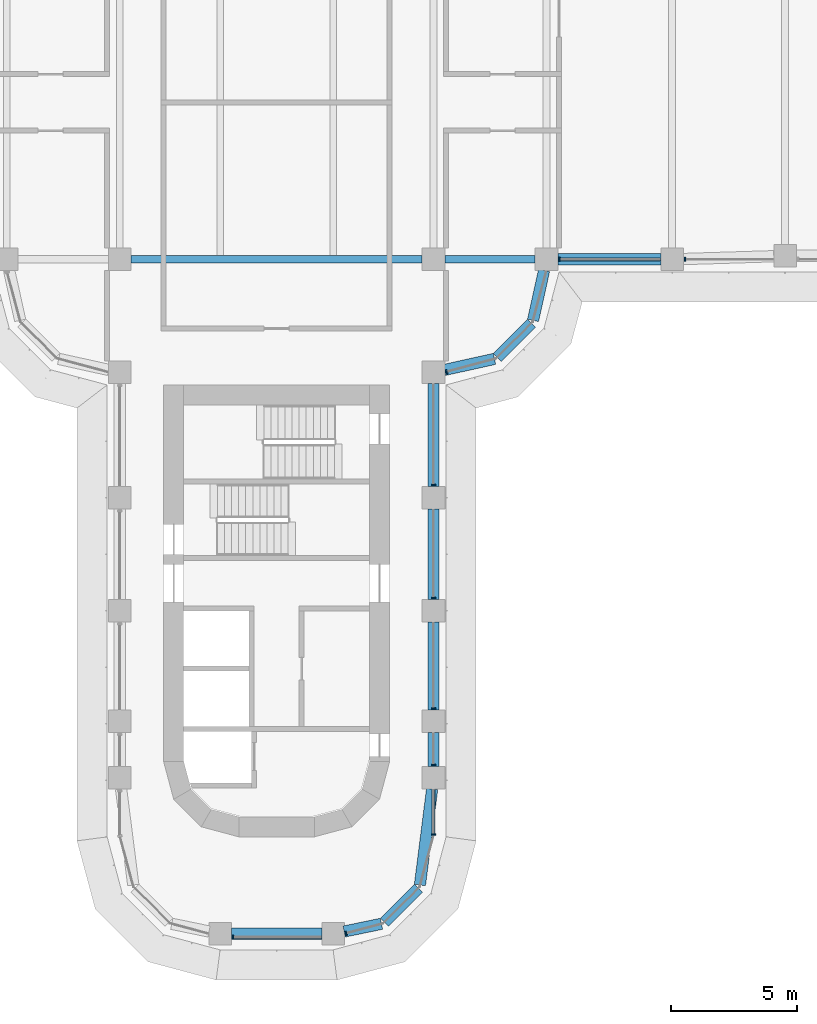
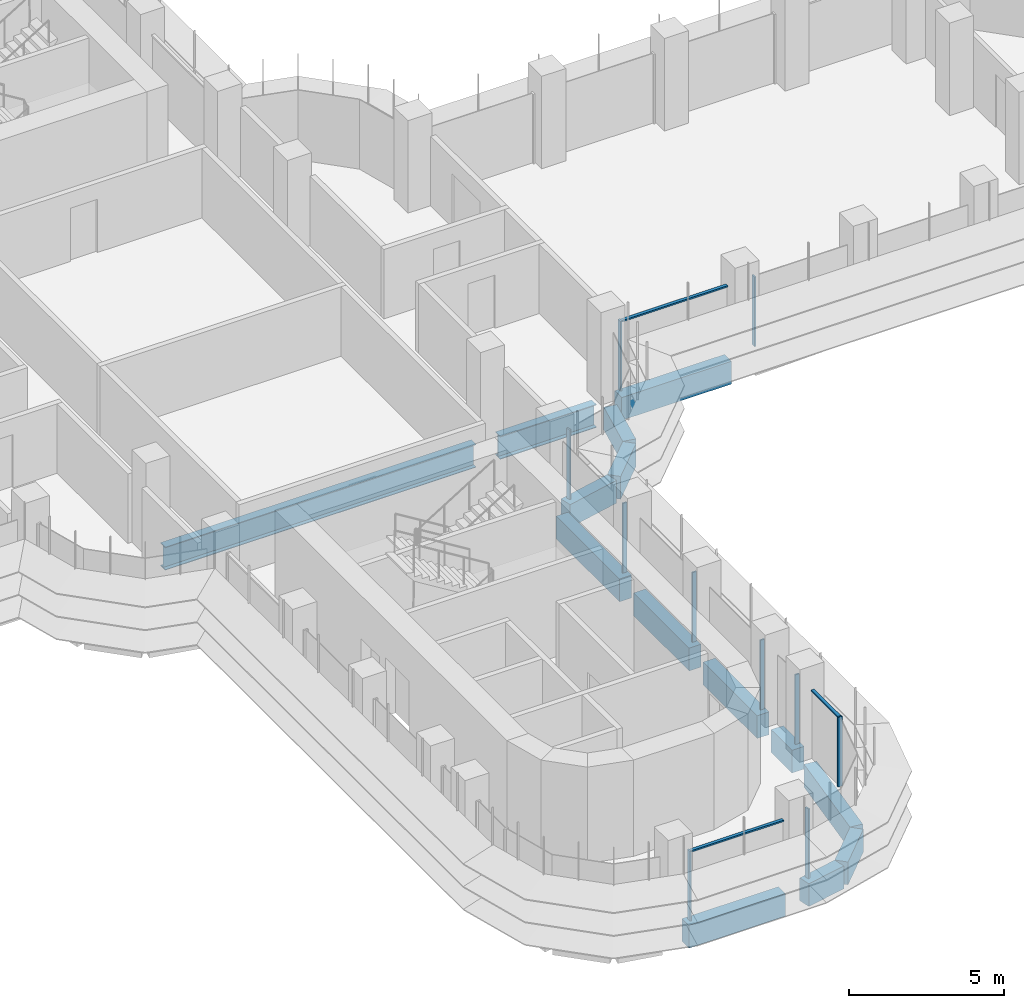
# One storey, part 4 of 21: 14 beams, 13 members, 5 elements without a shape of their own.
"""IFC4 building model written with IfcOpenShell, lengths in metres."""

import ifcopenshell
import ifcopenshell.guid

model = None  # the IFC model being written
_history = None  # IfcOwnerHistory: only IFC2X3 demands one
_inside = {}  # id of a spatial element -> (the spatial element, [elements in it])
_under = {}  # id of a project, library or spatial element -> (it, [spatial elements below it])
_declared = {}  # id of a project -> (the project, [libraries it declares])
_typed = {}  # id of a type object -> (the type object, [elements of that type])
_made_of = {}  # id of a material, layer set ... -> (it, [elements and type objects made of it])


def new_model(schema):
    """Start an empty IFC model of exactly this schema.

    Asked for "IFC4X3", IfcOpenShell would pick the latest addendum, in which some entities
    have other attributes; the version numbers below select the first issue.
    IFC2X3 requires an IfcOwnerHistory on every rooted entity: one is made here for all.
    """
    global model, _history
    if schema == "IFC4X3":
        model = ifcopenshell.file(schema_version=(4, 3, 0, 0))
    else:
        model = ifcopenshell.file(schema=schema)
    _inside.clear()
    _under.clear()
    _declared.clear()
    _typed.clear()
    _made_of.clear()
    _history = None
    if model.schema == "IFC2X3":
        org = make("IfcOrganization", Name="unknown")
        user = make(
            "IfcPersonAndOrganization",
            ThePerson=make("IfcPerson", FamilyName="unknown"),
            TheOrganization=org,
        )
        app = make(
            "IfcApplication",
            ApplicationDeveloper=org,
            Version="unknown",
            ApplicationFullName="unknown",
            ApplicationIdentifier="unknown",
        )
        _history = make(
            "IfcOwnerHistory",
            OwningUser=user,
            OwningApplication=app,
            ChangeAction="ADDED",
            CreationDate=0,
        )
    return model


def make(cls, **values):
    """One entity of the class cls with the attributes given. An attribute that is None is left unset."""
    return model.create_entity(
        cls, **{name: value for name, value in values.items() if value is not None}
    )


def rooted(cls, **values):
    """An entity with a GlobalId (a new one), such as an element, a storey or a relation."""
    return make(cls, GlobalId=ifcopenshell.guid.new(), OwnerHistory=_history, **values)


def si_unit(unit_type, name, prefix=None):
    """IfcSIUnit, for example si_unit("LENGTHUNIT", "METRE", prefix="MILLI")."""
    return make("IfcSIUnit", UnitType=unit_type, Prefix=prefix, Name=name)


def assignment(units):
    """IfcUnitAssignment: the units of a project."""
    return None if units is None else make("IfcUnitAssignment", Units=units)


def point(xyz):
    """IfcCartesianPoint."""
    return None if xyz is None else make("IfcCartesianPoint", Coordinates=xyz)


def direction(xyz):
    """IfcDirection."""
    return None if xyz is None else make("IfcDirection", DirectionRatios=xyz)


def frame(location, z_axis=None, x_axis=None):
    """IfcAxis2Placement3D, a coordinate frame: its origin and axes. An axis left out is left unset."""
    return make(
        "IfcAxis2Placement3D",
        Location=point(location),
        Axis=direction(z_axis),
        RefDirection=direction(x_axis),
    )


def frame_2d(location, x_axis=None):
    """IfcAxis2Placement2D, a coordinate frame in the plane: its origin and x axis."""
    return make(
        "IfcAxis2Placement2D", Location=point(location), RefDirection=direction(x_axis)
    )


def origin():
    """The frame at (0, 0, 0) with its axes left unset."""
    return frame((0.0, 0.0, 0.0))


def origin_2d():
    """The frame at (0, 0) in the plane with its x axis left unset."""
    return frame_2d((0.0, 0.0))


def place(relative_to, where):
    """IfcLocalPlacement: puts the frame where relative to a parent placement (None: the world)."""
    return make(
        "IfcLocalPlacement", PlacementRelTo=relative_to, RelativePlacement=where
    )


def context(
    kind, dimensions, precision=None, world=None, true_north=None, identifier=None
):
    """IfcGeometricRepresentationContext, for example the 3D "Model" context."""
    return make(
        "IfcGeometricRepresentationContext",
        ContextIdentifier=identifier,
        ContextType=kind,
        CoordinateSpaceDimension=dimensions,
        Precision=precision,
        WorldCoordinateSystem=world,
        TrueNorth=true_north,
    )


def subcontext(parent, identifier, kind, view, scale=None):
    """IfcGeometricRepresentationSubContext, for example "Body" below "Model"."""
    return make(
        "IfcGeometricRepresentationSubContext",
        ContextIdentifier=identifier,
        ContextType=kind,
        ParentContext=parent,
        TargetScale=scale,
        TargetView=view,
    )


def project(units=None, contexts=None):
    """IfcProject with its units and contexts."""
    return rooted(
        "IfcProject",
        Name="project",
        RepresentationContexts=contexts,
        UnitsInContext=assignment(units),
    )


def spatial(cls, under=None, at=None, **own):
    """A site, building, storey or space (cls), placed at a placement, below another one or the project."""
    s = rooted(cls, ObjectPlacement=at, **own)
    if under is not None:
        _under.setdefault(under.id(), (under, []))[1].append(s)
    return s


def polyline(points):
    """IfcPolyline through the points."""
    return make("IfcPolyline", Points=[point(p) for p in points])


def profile(cls, at=None, kind="AREA", **sizes):
    """A parametric profile (cls). Its sizes go by their IFC names, for example OverallWidth=200.0."""
    return make(cls, ProfileType=kind, Position=at, **sizes)


def rectangle(**sizes):
    """IfcRectangleProfileDef."""
    return profile("IfcRectangleProfileDef", **sizes)


def i_section(**sizes):
    """IfcIShapeProfileDef."""
    return profile("IfcIShapeProfileDef", **sizes)


def outline(outer, holes=None, kind="AREA"):
    """IfcArbitraryClosedProfileDef: a profile drawn as a closed curve; with holes, ...WithVoids."""
    if holes is None:
        return make("IfcArbitraryClosedProfileDef", ProfileType=kind, OuterCurve=outer)
    return make(
        "IfcArbitraryProfileDefWithVoids",
        ProfileType=kind,
        OuterCurve=outer,
        InnerCurves=holes,
    )


def extrude(swept, where, along, depth):
    """IfcExtrudedAreaSolid: the profile swept, set in the frame where, extruded along a direction by depth."""
    return make(
        "IfcExtrudedAreaSolid",
        SweptArea=swept,
        Position=where,
        ExtrudedDirection=direction(along),
        Depth=depth,
    )


def shape(context_of_items, identifier, shape_type, items):
    """IfcShapeRepresentation: the items that make up one representation, for example the "Body"."""
    return make(
        "IfcShapeRepresentation",
        ContextOfItems=context_of_items,
        RepresentationIdentifier=identifier,
        RepresentationType=shape_type,
        Items=items,
    )


def source(mapping_origin, context_of_items, identifier, shape_type, items):
    """IfcRepresentationMap: a shape defined once, which mapped items show again and again."""
    return make(
        "IfcRepresentationMap",
        MappingOrigin=mapping_origin,
        MappedRepresentation=shape(context_of_items, identifier, shape_type, items),
    )


def transform(
    local_origin,
    x_axis=None,
    y_axis=None,
    z_axis=None,
    scale=None,
    scale2=None,
    scale3=None,
    uniform=True,
):
    """IfcCartesianTransformationOperator3D, or its non-uniform kind. x_axis, y_axis, z_axis: its Axis1, 2, 3."""
    if uniform:
        return make(
            "IfcCartesianTransformationOperator3D",
            Axis1=direction(x_axis),
            Axis2=direction(y_axis),
            LocalOrigin=point(local_origin),
            Scale=scale,
            Axis3=direction(z_axis),
        )
    return make(
        "IfcCartesianTransformationOperator3DnonUniform",
        Axis1=direction(x_axis),
        Axis2=direction(y_axis),
        LocalOrigin=point(local_origin),
        Scale=scale,
        Axis3=direction(z_axis),
        Scale2=scale2,
        Scale3=scale3,
    )


def mapped(mapping_source, mapping_target):
    """IfcMappedItem: shows the shape of a source again, moved by a transform."""
    return make(
        "IfcMappedItem", MappingSource=mapping_source, MappingTarget=mapping_target
    )


def material(Name=None, Category=None):
    """IfcMaterial."""
    return make("IfcMaterial", Name=Name, Category=Category)


def material_profile(
    of_material, cross_section, Name=None, Category=None, Priority=None
):
    """IfcMaterialProfile: a cross section and its material."""
    return make(
        "IfcMaterialProfile",
        Name=Name,
        Material=of_material,
        Profile=cross_section,
        Priority=Priority,
        Category=Category,
    )


def profile_set(profiles, Name=None, composite=None):
    """IfcMaterialProfileSet."""
    return make(
        "IfcMaterialProfileSet",
        Name=Name,
        MaterialProfiles=profiles,
        CompositeProfile=composite,
    )


def made_of(thing, what):
    """Note that an element or type object is made of a material, layer set ...; save() writes the relation."""
    if what is not None:
        _made_of.setdefault(what.id(), (what, []))[1].append(thing)
    return thing


def type_object(cls, material=None, **own):
    """A type object (cls), such as IfcWallType, which elements share."""
    return made_of(rooted(cls, **own), material)


def element(
    cls,
    number,
    at=None,
    inside=None,
    cuts=None,
    type_object=None,
    material=None,
    context=None,
    identifier="Body",
    shape_type=None,
    held_by="IfcProductDefinitionShape",
    body=None,
    shapes=None,
    **own,
):
    """One element of the class cls, such as IfcWall. Its Tag is "e" and its number.

    at: its placement. inside: the storey or other place that contains it. cuts: it is an
    opening in that element (IfcRelVoidsElement). A single representation is given by context,
    identifier, shape_type and body (its items); several are given by shapes. held_by: the class
    of the entity that holds the representations. save() writes the other relations.
    """
    e = rooted(cls, Tag="e%d" % number, ObjectPlacement=at, **own)
    if body is not None:
        shapes = [shape(context, identifier, shape_type, body)]
    if shapes is not None:
        e.Representation = make(held_by, Representations=shapes)
    if inside is not None:
        _inside.setdefault(inside.id(), (inside, []))[1].append(e)
    if cuts is not None:
        rooted(
            "IfcRelVoidsElement", RelatingBuildingElement=cuts, RelatedOpeningElement=e
        )
    if type_object is not None:
        _typed.setdefault(type_object.id(), (type_object, []))[1].append(e)
    return made_of(e, material)


def aggregate(whole, parts):
    """IfcRelAggregates: a whole, such as a stair, and the parts it consists of."""
    return rooted("IfcRelAggregates", RelatingObject=whole, RelatedObjects=parts)


def save(model, path):
    """Write the relations noted so far, then the file.

    IfcRelAggregates (storeys below a building ...), IfcRelContainedInSpatialStructure (elements
    in a storey), IfcRelDefinesByType, IfcRelAssociatesMaterial and IfcRelDeclares: one each for
    every whole, place, type object, material and project.
    """
    for whole, parts in _under.values():
        aggregate(whole, parts)
    for where, things in _inside.values():
        rooted(
            "IfcRelContainedInSpatialStructure",
            RelatedElements=things,
            RelatingStructure=where,
        )
    for kind, things in _typed.values():
        rooted("IfcRelDefinesByType", RelatedObjects=things, RelatingType=kind)
    for what, things in _made_of.values():
        rooted("IfcRelAssociatesMaterial", RelatedObjects=things, RelatingMaterial=what)
    for by, libraries in _declared.values():
        rooted("IfcRelDeclares", RelatingContext=by, RelatedDefinitions=libraries)
    model.write(path)


model = new_model("IFC4")

# Units and contexts
model_context = context("Model", 3, precision=1e-05, world=origin(), true_north=direction((0.0, 1.0)))
body_context = subcontext(model_context, "Body", "Model", "MODEL_VIEW")
ifc_project = project(units=[si_unit("LENGTHUNIT", "METRE"), si_unit("AREAUNIT", "SQUARE_METRE"), si_unit("VOLUMEUNIT", "CUBIC_METRE"), si_unit("PLANEANGLEUNIT", "RADIAN"), si_unit("MASSUNIT", "GRAM", prefix="KILO")], contexts=[model_context])

# Site, building, storey
site_placement = place(None, origin())
site = spatial("IfcSite", under=ifc_project, at=site_placement, CompositionType="ELEMENT")
building_placement = place(site_placement, origin())
building = spatial("IfcBuilding", under=site, at=building_placement, Name="Zarbagh Exchange Tower", CompositionType="ELEMENT")
storey_placement = place(building_placement, frame((0.0, 0.0, 117.0)))
storey = spatial("IfcBuildingStorey", under=building, at=storey_placement, Name="L27", CompositionType="ELEMENT", Elevation=117.0)

# Beams
ifc_material_1 = material(Name="Steel ASTM A992 Gr 50", Category="steel")
ifc_material_profile_1 = material_profile(ifc_material_1, i_section(OverallWidth=0.3046875, OverallDepth=0.911865234375, WebThickness=0.015869140625, FlangeThickness=0.02392578125, at=origin_2d()), Name="W36X150")
ifc_profile_set_1 = profile_set([ifc_material_profile_1], Name="Steel ASTM A992 Gr 50")
beam_type_1 = type_object("IfcBeamType", Name="Floor girder W36X150", PredefinedType="BEAM", material=ifc_profile_set_1)
beam_1_placement = place(storey_placement, frame((-5.800048828125, -6.25, -0.60595703125), z_axis=(1.0, 0.0, 0.0), x_axis=(0.0, 1.0, 0.0)))
element("IfcBeam", 1, at=beam_1_placement, inside=storey, type_object=beam_type_1, Name="Steel girder", PredefinedType="BEAM", context=body_context, shape_type="SweptSolid", body=[
    extrude(i_section(OverallWidth=0.3046875, OverallDepth=0.911865234375, WebThickness=0.015869140625, FlangeThickness=0.02392578125, at=origin_2d()), origin(), (0.0, 0.0, 1.0), 11.60009765625),
])
beam_2_placement = place(storey_placement, frame((6.699951171875, -6.25, -0.60595703125), z_axis=(1.0, 0.0, 0.0), x_axis=(0.0, 1.0, 0.0)))
element("IfcBeam", 2, at=beam_2_placement, inside=storey, type_object=beam_type_1, Name="Steel girder", PredefinedType="BEAM", context=body_context, shape_type="SweptSolid", body=[
    extrude(i_section(OverallWidth=0.3046875, OverallDepth=0.911865234375, WebThickness=0.015869140625, FlangeThickness=0.02392578125, at=origin_2d()), origin(), (0.0, 0.0, 1.0), 3.60009765625),
])
ifc_material_2 = material(Name="Concrete C60/75", Category="concrete")
ifc_material_profile_2 = material_profile(ifc_material_2, rectangle(XDim=0.449951171875, YDim=0.89990234375, at=origin_2d()), Name="RC spandrel beam 450 x 900 C60/75")
ifc_profile_set_2 = profile_set([ifc_material_profile_2], Name="Concrete C60/75")
beam_type_2 = type_object("IfcBeamType", Name="RC spandrel beam 450 x 900 C60/75", PredefinedType="SPANDREL", material=ifc_profile_set_2)
beam_3_placement = place(storey_placement, frame((15.300048828125, -6.25, -0.60009765625), z_axis=(-1.0, 0.0, 0.0), x_axis=(0.0, -1.0, 0.0)))
element("IfcBeam", 3, at=beam_3_placement, inside=storey, type_object=beam_type_2, Name="RC spandrel beam", PredefinedType="SPANDREL", context=body_context, shape_type="SweptSolid", body=[
    extrude(rectangle(XDim=0.449951171875, YDim=0.89990234375, at=origin_2d()), origin(), (0.0, 0.0, 1.0), 4.10009765625),
])
beam_4_placement = place(storey_placement, frame((10.65283203125, -6.689453125, -0.60009765625), z_axis=(-0.216117666208, -0.976367325525, 0.0), x_axis=(0.976367325525, -0.216117666208, 0.0)))
element("IfcBeam", 4, at=beam_4_placement, inside=storey, type_object=beam_type_2, Name="RC spandrel beam", PredefinedType="SPANDREL", context=body_context, shape_type="SweptSolid", body=[
    extrude(rectangle(XDim=0.449951171875, YDim=0.89990234375, at=origin_2d()), origin(), (0.0, 0.0, 1.0), 2.03564453125),
])
beam_5_placement = place(storey_placement, frame((10.15234375, -8.78759765625, -0.60009765625), z_axis=(-0.707106781187, -0.707106781187, 0.0), x_axis=(0.707106781187, -0.707106781187, 0.0)))
element("IfcBeam", 5, at=beam_5_placement, inside=storey, type_object=beam_type_2, Name="RC spandrel beam", PredefinedType="SPANDREL", context=body_context, shape_type="SweptSolid", body=[
    extrude(rectangle(XDim=0.449951171875, YDim=0.89990234375, at=origin_2d()), origin(), (0.0, 0.0, 1.0), 1.929931640625),
])
beam_6_placement = place(storey_placement, frame((8.677001953125, -10.212890625, -0.60009765625), z_axis=(-0.976367325525, -0.216117666208, 0.0), x_axis=(0.216117666208, -0.976367325525, 0.0)))
element("IfcBeam", 6, at=beam_6_placement, inside=storey, type_object=beam_type_2, Name="RC spandrel beam", PredefinedType="SPANDREL", context=body_context, shape_type="SweptSolid", body=[
    extrude(rectangle(XDim=0.449951171875, YDim=0.89990234375, at=origin_2d()), origin(), (0.0, 0.0, 1.0), 2.03564453125),
])
beam_7_placement = place(storey_placement, frame((6.25, -11.199951171875, -0.60009765625), z_axis=(0.0, -1.0, 0.0), x_axis=(1.0, 0.0, 0.0)))
element("IfcBeam", 7, at=beam_7_placement, inside=storey, type_object=beam_type_2, Name="RC spandrel beam", PredefinedType="SPANDREL", context=body_context, shape_type="SweptSolid", body=[
    extrude(rectangle(XDim=0.449951171875, YDim=0.89990234375, at=origin_2d()), origin(), (0.0, 0.0, 1.0), 4.10009765625),
])
beam_8_placement = place(storey_placement, frame((6.25, -16.199951171875, -0.60009765625), z_axis=(0.0, -1.0, 0.0), x_axis=(1.0, 0.0, 0.0)))
element("IfcBeam", 8, at=beam_8_placement, inside=storey, type_object=beam_type_2, Name="RC spandrel beam", PredefinedType="SPANDREL", context=body_context, shape_type="SweptSolid", body=[
    extrude(rectangle(XDim=0.449951171875, YDim=0.89990234375, at=origin_2d()), origin(), (0.0, 0.0, 1.0), 3.60009765625),
])
beam_9_placement = place(storey_placement, frame((6.25, -20.699951171875, -0.60009765625), z_axis=(0.0, -1.0, 0.0), x_axis=(1.0, 0.0, 0.0)))
element("IfcBeam", 9, at=beam_9_placement, inside=storey, type_object=beam_type_2, Name="RC spandrel beam", PredefinedType="SPANDREL", context=body_context, shape_type="SweptSolid", body=[
    extrude(rectangle(XDim=0.449951171875, YDim=0.89990234375, at=origin_2d()), origin(), (0.0, 0.0, 1.0), 3.5),
])
beam_10_placement = place(storey_placement, frame((6.25, -25.10009765625, -0.60009765625), z_axis=(0.0, -1.0, 0.0), x_axis=(1.0, 0.0, 0.0)))
element("IfcBeam", 10, at=beam_10_placement, inside=storey, type_object=beam_type_2, Name="RC spandrel beam", PredefinedType="SPANDREL", context=body_context, shape_type="SweptSolid", body=[
    extrude(rectangle(XDim=0.449951171875, YDim=0.89990234375, at=origin_2d()), origin(), (0.0, 0.0, 1.0), 1.349853515625),
])
beam_11_placement = place(storey_placement, frame((6.193359375, -27.346435546875, -0.60009765625), z_axis=(-0.12597055537, -0.992033980859, 0.0), x_axis=(0.992033980859, -0.12597055537, 0.0)))
element("IfcBeam", 11, at=beam_11_placement, inside=storey, type_object=beam_type_2, Name="RC spandrel beam", PredefinedType="SPANDREL", context=body_context, shape_type="SweptSolid", body=[
    extrude(rectangle(XDim=0.449951171875, YDim=0.89990234375, at=origin_2d()), origin(), (0.0, 0.0, 1.0), 3.84912109375),
])
beam_12_placement = place(storey_placement, frame((5.644287109375, -31.295654296875, -0.60009765625), z_axis=(-0.707106781187, -0.707106781187, 0.0), x_axis=(0.707106781187, -0.707106781187, 0.0)))
element("IfcBeam", 12, at=beam_12_placement, inside=storey, type_object=beam_type_2, Name="RC spandrel beam", PredefinedType="SPANDREL", context=body_context, shape_type="SweptSolid", body=[
    extrude(rectangle(XDim=0.449951171875, YDim=0.89990234375, at=origin_2d()), origin(), (0.0, 0.0, 1.0), 1.9169921875),
])
beam_13_placement = place(storey_placement, frame((4.17529296875, -32.71240234375, -0.60009765625), z_axis=(-0.979328675816, -0.202275417995, 0.0), x_axis=(0.202275417995, -0.979328675816, 0.0)))
element("IfcBeam", 13, at=beam_13_placement, inside=storey, type_object=beam_type_2, Name="RC spandrel beam", PredefinedType="SPANDREL", context=body_context, shape_type="SweptSolid", body=[
    extrude(rectangle(XDim=0.449951171875, YDim=0.89990234375, at=origin_2d()), origin(), (0.0, 0.0, 1.0), 1.515869140625),
])
beam_14_placement = place(storey_placement, frame((1.800048828125, -33.110107421875, -0.60009765625), z_axis=(-1.0, 0.0, 0.0), x_axis=(0.0, -1.0, 0.0)))
element("IfcBeam", 14, at=beam_14_placement, inside=storey, type_object=beam_type_2, Name="RC spandrel beam", PredefinedType="SPANDREL", context=body_context, shape_type="SweptSolid", body=[
    extrude(rectangle(XDim=0.449951171875, YDim=0.89990234375, at=origin_2d()), origin(), (0.0, 0.0, 1.0), 3.60009765625),
])

# Curtain wall, member
ifc_material_3 = material(Name="Anodised aluminium frame and glazing", Category="aluminium")
curtain_wall_type = type_object("IfcCurtainWallType", Name="CWA Ribbon glazing, lower zones", PredefinedType="NOTDEFINED", material=ifc_material_3)
curtain_wall_1_placement = place(storey_placement, origin())
curtain_wall_1 = element("IfcCurtainWall", 15, at=curtain_wall_1_placement, inside=storey, type_object=curtain_wall_type, Name="CWA01 curtain wall", PredefinedType="NOTDEFINED")
ifc_material_4 = material(Name="Anodised aluminium frame", Category="aluminium")
member_type_1 = type_object("IfcMemberType", Name="MUA Mullion, anodised aluminium frame", PredefinedType="MULLION", material=ifc_material_4)
shared_shape_1 = source(origin(), body_context, "Body", "SweptSolid", [
    extrude(outline(polyline([(0.0, -0.080078125), (0.06005859375, -0.080078125), (0.06005859375, 0.080078125), (0.0, 0.080078125), (0.0, -0.080078125)])), origin(), (0.0, 0.0, 1.0), 2.75),
])
placement = place(storey_placement, origin())
member_1 = element("IfcMember", 16, at=placement, type_object=member_type_1, Name="CWA01 mullion 1.1", PredefinedType="MULLION", context=body_context, shape_type="MappedRepresentation", body=[
    mapped(shared_shape_1, transform((2.739990234375, -33.10107421875, 0.0), x_axis=(0.965924289636, 0.258824779902, 0.0), y_axis=(-0.258824779902, 0.965924289636, 0.0), z_axis=(0.0, 0.0, 1.0))),
])
aggregate(curtain_wall_1, [member_1])

# Curtain wall, members
curtain_wall_2_placement = place(storey_placement, origin())
curtain_wall_2 = element("IfcCurtainWall", 17, at=curtain_wall_2_placement, inside=storey, type_object=curtain_wall_type, Name="CWA04 curtain wall", PredefinedType="NOTDEFINED")
member_2 = element("IfcMember", 18, at=placement, type_object=member_type_1, Name="CWA04 mullion 1.1", PredefinedType="MULLION", context=body_context, shape_type="MappedRepresentation", body=[
    mapped(shared_shape_1, transform((6.25, -29.18408203125, 0.0), x_axis=(0.0, 1.0, 0.0), y_axis=(-1.0, 0.0, 0.0), z_axis=(0.0, 0.0, 1.0))),
])
member_3 = element("IfcMember", 19, at=placement, type_object=member_type_1, Name="CWA04 mullion 2.1", PredefinedType="MULLION", context=body_context, shape_type="MappedRepresentation", body=[
    mapped(shared_shape_1, transform((6.25, -26.409912109375, 0.0), x_axis=(0.0, 1.0, 0.0), y_axis=(-1.0, 0.0, 0.0), z_axis=(0.0, 0.0, 1.0))),
])
member_4 = element("IfcMember", 20, at=placement, type_object=member_type_1, Name="CWA04 mullion 3.1", PredefinedType="MULLION", context=body_context, shape_type="MappedRepresentation", body=[
    mapped(shared_shape_1, transform((6.25, -24.159912109375, 0.0), x_axis=(0.0, 1.0, 0.0), y_axis=(-1.0, 0.0, 0.0), z_axis=(0.0, 0.0, 1.0))),
])
member_5 = element("IfcMember", 21, at=placement, type_object=member_type_1, Name="CWA04 mullion 4.1", PredefinedType="MULLION", context=body_context, shape_type="MappedRepresentation", body=[
    mapped(shared_shape_1, transform((6.25, -19.760009765625, 0.0), x_axis=(0.0, 1.0, 0.0), y_axis=(-1.0, 0.0, 0.0), z_axis=(0.0, 0.0, 1.0))),
])
member_6 = element("IfcMember", 22, at=placement, type_object=member_type_1, Name="CWA04 mullion 5.1", PredefinedType="MULLION", context=body_context, shape_type="MappedRepresentation", body=[
    mapped(shared_shape_1, transform((6.25, -15.260009765625, 0.0), x_axis=(0.0, 1.0, 0.0), y_axis=(-1.0, 0.0, 0.0), z_axis=(0.0, 0.0, 1.0))),
])

# Curtain wall, member
curtain_wall_3_placement = place(storey_placement, origin())
curtain_wall_3 = element("IfcCurtainWall", 23, at=curtain_wall_3_placement, inside=storey, type_object=curtain_wall_type, Name="CWA05 curtain wall", PredefinedType="NOTDEFINED")
member_7 = element("IfcMember", 24, at=placement, type_object=member_type_1, Name="CWA05 mullion 1.1", PredefinedType="MULLION", context=body_context, shape_type="MappedRepresentation", body=[
    mapped(shared_shape_1, transform((6.739990234375, -10.735107421875, 0.0), x_axis=(0.965924289636, 0.258824779902, 0.0), y_axis=(-0.258824779902, 0.965924289636, 0.0), z_axis=(0.0, 0.0, 1.0))),
])
aggregate(curtain_wall_3, [member_7])

# Curtain wall, members
curtain_wall_4_placement = place(storey_placement, origin())
curtain_wall_4 = element("IfcCurtainWall", 25, at=curtain_wall_4_placement, inside=storey, type_object=curtain_wall_type, Name="CWA08 curtain wall", PredefinedType="NOTDEFINED")
member_8 = element("IfcMember", 26, at=placement, type_object=member_type_1, Name="CWA08 mullion 1.1", PredefinedType="MULLION", context=body_context, shape_type="MappedRepresentation", body=[
    mapped(shared_shape_1, transform((11.239990234375, -6.25, 0.0), x_axis=(1.0, 0.0, 0.0), y_axis=(0.0, 1.0, 0.0), z_axis=(0.0, 0.0, 1.0))),
])
member_9 = element("IfcMember", 27, at=placement, type_object=member_type_1, Name="CWA08 mullion 2.1", PredefinedType="MULLION", context=body_context, shape_type="MappedRepresentation", body=[
    mapped(shared_shape_1, transform((16.239990234375, -6.25, 0.0), x_axis=(1.0, 0.0, 0.0), y_axis=(0.0, 1.0, 0.0), z_axis=(0.0, 0.0, 1.0))),
])

# Curtain wall, member
curtain_wall_5_placement = place(storey_placement, origin())
curtain_wall_5 = element("IfcCurtainWall", 28, at=curtain_wall_5_placement, inside=storey, type_object=curtain_wall_type, Name="CWA48 curtain wall", PredefinedType="NOTDEFINED")
member_10 = element("IfcMember", 29, at=placement, type_object=member_type_1, Name="CWA48 mullion 1.1", PredefinedType="MULLION", context=body_context, shape_type="MappedRepresentation", body=[
    mapped(shared_shape_1, transform((-1.760009765625, -33.25, 0.0), x_axis=(1.0, 0.0, 0.0), y_axis=(0.0, 1.0, 0.0), z_axis=(0.0, 0.0, 1.0))),
])

# Member
member_type_2 = type_object("IfcMemberType", Name="TRA Transom, anodised aluminium frame", PredefinedType="USERDEFINED", material=ifc_material_4)
shared_shape_2 = source(origin(), body_context, "Body", "SweptSolid", [
    extrude(outline(polyline([(-0.06005859375, -0.06005859375), (0.0, -0.06005859375), (0.0, 0.06005859375), (-0.06005859375, 0.06005859375), (-0.06005859375, -0.06005859375)])), origin(), (0.0, 0.0, 1.0), 1.734130859375),
])
member_11 = element("IfcMember", 30, at=placement, type_object=member_type_2, Name="CWA04 transom 1.1", ObjectType="TRANSOM", PredefinedType="USERDEFINED", context=body_context, shape_type="MappedRepresentation", body=[
    mapped(shared_shape_2, transform((6.25, -29.124267578125, 2.75), x_axis=(0.0, 0.0, 1.0), y_axis=(1.0, 0.0, 0.0), z_axis=(0.0, 1.0, 0.0))),
])

aggregate(curtain_wall_2, [member_2, member_11, member_3, member_4, member_5, member_6])

shared_shape_3 = source(origin(), body_context, "Body", "SweptSolid", [
    extrude(outline(polyline([(-0.06005859375, -0.06005859375), (0.0, -0.06005859375), (0.0, 0.06005859375), (-0.06005859375, 0.06005859375), (-0.06005859375, -0.06005859375)])), origin(), (0.0, 0.0, 1.0), 3.9599609375),
])
member_12 = element("IfcMember", 31, at=placement, type_object=member_type_2, Name="CWA08 transom 1.1", ObjectType="TRANSOM", PredefinedType="USERDEFINED", context=body_context, shape_type="MappedRepresentation", body=[
    mapped(shared_shape_3, transform((11.300048828125, -6.25, 2.75), x_axis=(0.0, 0.0, 1.0), y_axis=(0.0, -1.0, 0.0), z_axis=(1.0, 0.0, 0.0))),
])

aggregate(curtain_wall_4, [member_8, member_12, member_9])

shared_shape_4 = source(origin(), body_context, "Body", "SweptSolid", [
    extrude(outline(polyline([(-0.06005859375, -0.06005859375), (0.0, -0.06005859375), (0.0, 0.06005859375), (-0.06005859375, 0.06005859375), (-0.06005859375, -0.06005859375)])), origin(), (0.0, 0.0, 1.0), 3.4599609375),
])
member_13 = element("IfcMember", 32, at=placement, type_object=member_type_2, Name="CWA48 transom 1.1", ObjectType="TRANSOM", PredefinedType="USERDEFINED", context=body_context, shape_type="MappedRepresentation", body=[
    mapped(shared_shape_4, transform((-1.699951171875, -33.25, 2.75), x_axis=(0.0, 0.0, 1.0), y_axis=(0.0, -1.0, 0.0), z_axis=(1.0, 0.0, 0.0))),
])

aggregate(curtain_wall_5, [member_10, member_13])

save(model, "model.ifc")
